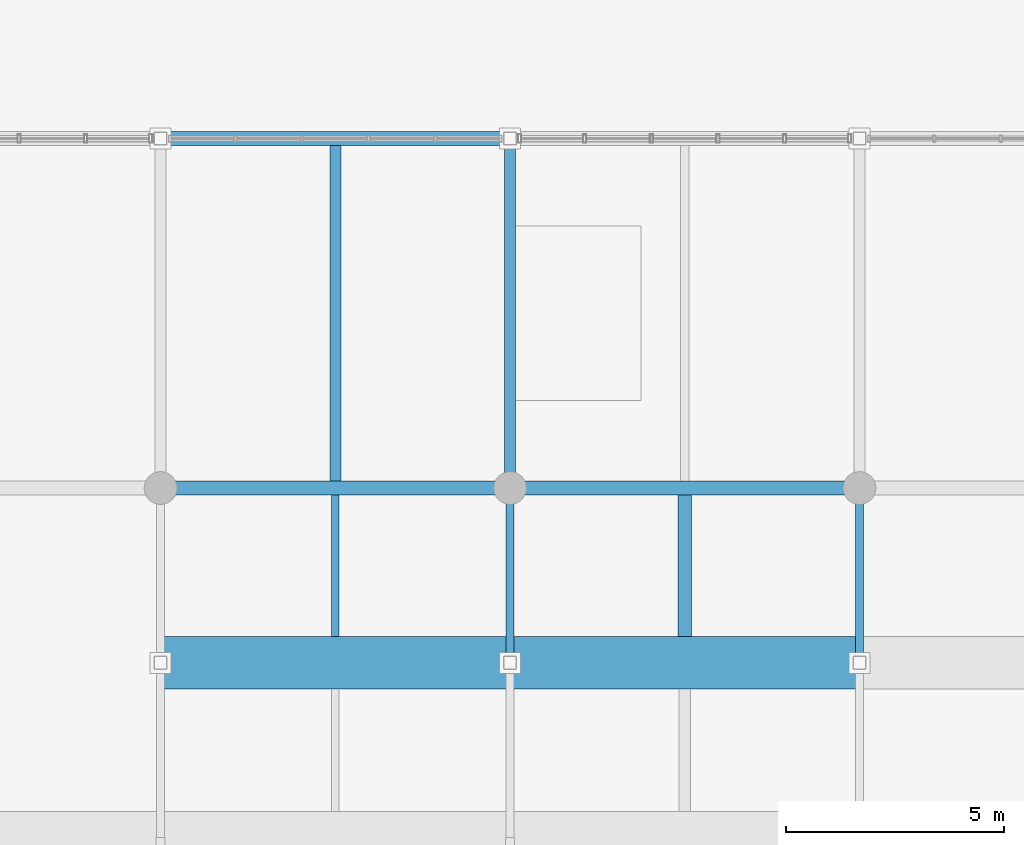
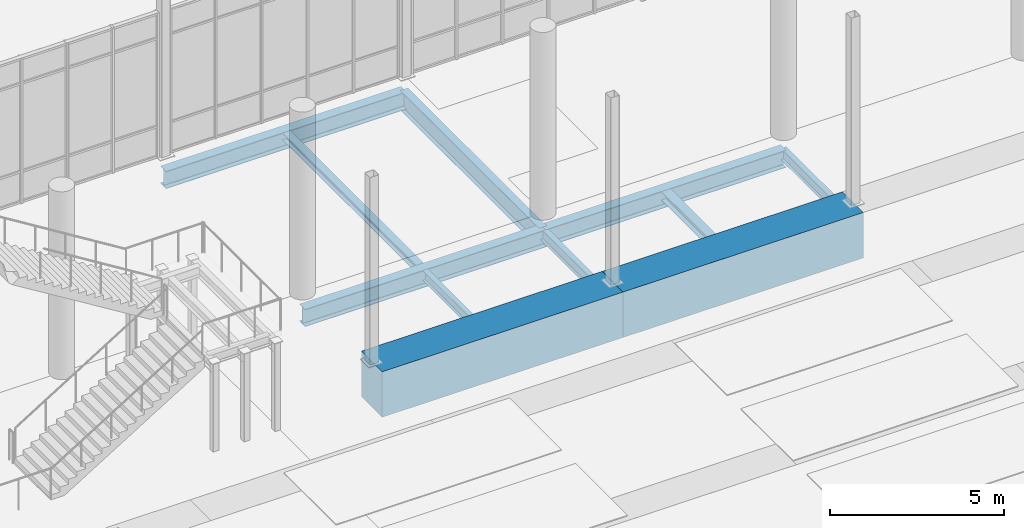
# One storey, part 38 of 140: 11 beams.
"""IFC4 building model written with IfcOpenShell, lengths in metres."""

import ifcopenshell
import ifcopenshell.guid

model = None  # the IFC model being written
_history = None  # IfcOwnerHistory: only IFC2X3 demands one
_inside = {}  # id of a spatial element -> (the spatial element, [elements in it])
_under = {}  # id of a project, library or spatial element -> (it, [spatial elements below it])
_declared = {}  # id of a project -> (the project, [libraries it declares])
_typed = {}  # id of a type object -> (the type object, [elements of that type])
_made_of = {}  # id of a material, layer set ... -> (it, [elements and type objects made of it])


def new_model(schema):
    """Start an empty IFC model of exactly this schema.

    Asked for "IFC4X3", IfcOpenShell would pick the latest addendum, in which some entities
    have other attributes; the version numbers below select the first issue.
    IFC2X3 requires an IfcOwnerHistory on every rooted entity: one is made here for all.
    """
    global model, _history
    if schema == "IFC4X3":
        model = ifcopenshell.file(schema_version=(4, 3, 0, 0))
    else:
        model = ifcopenshell.file(schema=schema)
    _inside.clear()
    _under.clear()
    _declared.clear()
    _typed.clear()
    _made_of.clear()
    _history = None
    if model.schema == "IFC2X3":
        org = make("IfcOrganization", Name="unknown")
        user = make(
            "IfcPersonAndOrganization",
            ThePerson=make("IfcPerson", FamilyName="unknown"),
            TheOrganization=org,
        )
        app = make(
            "IfcApplication",
            ApplicationDeveloper=org,
            Version="unknown",
            ApplicationFullName="unknown",
            ApplicationIdentifier="unknown",
        )
        _history = make(
            "IfcOwnerHistory",
            OwningUser=user,
            OwningApplication=app,
            ChangeAction="ADDED",
            CreationDate=0,
        )
    return model


def make(cls, **values):
    """One entity of the class cls with the attributes given. An attribute that is None is left unset."""
    return model.create_entity(
        cls, **{name: value for name, value in values.items() if value is not None}
    )


def rooted(cls, **values):
    """An entity with a GlobalId (a new one), such as an element, a storey or a relation."""
    return make(cls, GlobalId=ifcopenshell.guid.new(), OwnerHistory=_history, **values)


def si_unit(unit_type, name, prefix=None):
    """IfcSIUnit, for example si_unit("LENGTHUNIT", "METRE", prefix="MILLI")."""
    return make("IfcSIUnit", UnitType=unit_type, Prefix=prefix, Name=name)


def assignment(units):
    """IfcUnitAssignment: the units of a project."""
    return None if units is None else make("IfcUnitAssignment", Units=units)


def point(xyz):
    """IfcCartesianPoint."""
    return None if xyz is None else make("IfcCartesianPoint", Coordinates=xyz)


def direction(xyz):
    """IfcDirection."""
    return None if xyz is None else make("IfcDirection", DirectionRatios=xyz)


def frame(location, z_axis=None, x_axis=None):
    """IfcAxis2Placement3D, a coordinate frame: its origin and axes. An axis left out is left unset."""
    return make(
        "IfcAxis2Placement3D",
        Location=point(location),
        Axis=direction(z_axis),
        RefDirection=direction(x_axis),
    )


def frame_2d(location, x_axis=None):
    """IfcAxis2Placement2D, a coordinate frame in the plane: its origin and x axis."""
    return make(
        "IfcAxis2Placement2D", Location=point(location), RefDirection=direction(x_axis)
    )


def origin():
    """The frame at (0, 0, 0) with its axes left unset."""
    return frame((0.0, 0.0, 0.0))


def origin_2d():
    """The frame at (0, 0) in the plane with its x axis left unset."""
    return frame_2d((0.0, 0.0))


def place(relative_to, where):
    """IfcLocalPlacement: puts the frame where relative to a parent placement (None: the world)."""
    return make(
        "IfcLocalPlacement", PlacementRelTo=relative_to, RelativePlacement=where
    )


def context(
    kind, dimensions, precision=None, world=None, true_north=None, identifier=None
):
    """IfcGeometricRepresentationContext, for example the 3D "Model" context."""
    return make(
        "IfcGeometricRepresentationContext",
        ContextIdentifier=identifier,
        ContextType=kind,
        CoordinateSpaceDimension=dimensions,
        Precision=precision,
        WorldCoordinateSystem=world,
        TrueNorth=true_north,
    )


def subcontext(parent, identifier, kind, view, scale=None):
    """IfcGeometricRepresentationSubContext, for example "Body" below "Model"."""
    return make(
        "IfcGeometricRepresentationSubContext",
        ContextIdentifier=identifier,
        ContextType=kind,
        ParentContext=parent,
        TargetScale=scale,
        TargetView=view,
    )


def project(units=None, contexts=None):
    """IfcProject with its units and contexts."""
    return rooted(
        "IfcProject",
        Name="project",
        RepresentationContexts=contexts,
        UnitsInContext=assignment(units),
    )


def spatial(cls, under=None, at=None, **own):
    """A site, building, storey or space (cls), placed at a placement, below another one or the project."""
    s = rooted(cls, ObjectPlacement=at, **own)
    if under is not None:
        _under.setdefault(under.id(), (under, []))[1].append(s)
    return s


def profile(cls, at=None, kind="AREA", **sizes):
    """A parametric profile (cls). Its sizes go by their IFC names, for example OverallWidth=200.0."""
    return make(cls, ProfileType=kind, Position=at, **sizes)


def rectangle(**sizes):
    """IfcRectangleProfileDef."""
    return profile("IfcRectangleProfileDef", **sizes)


def i_section(**sizes):
    """IfcIShapeProfileDef."""
    return profile("IfcIShapeProfileDef", **sizes)


def extrude(swept, where, along, depth):
    """IfcExtrudedAreaSolid: the profile swept, set in the frame where, extruded along a direction by depth."""
    return make(
        "IfcExtrudedAreaSolid",
        SweptArea=swept,
        Position=where,
        ExtrudedDirection=direction(along),
        Depth=depth,
    )


def shape(context_of_items, identifier, shape_type, items):
    """IfcShapeRepresentation: the items that make up one representation, for example the "Body"."""
    return make(
        "IfcShapeRepresentation",
        ContextOfItems=context_of_items,
        RepresentationIdentifier=identifier,
        RepresentationType=shape_type,
        Items=items,
    )


def material(Name=None, Category=None):
    """IfcMaterial."""
    return make("IfcMaterial", Name=Name, Category=Category)


def material_profile(
    of_material, cross_section, Name=None, Category=None, Priority=None
):
    """IfcMaterialProfile: a cross section and its material."""
    return make(
        "IfcMaterialProfile",
        Name=Name,
        Material=of_material,
        Profile=cross_section,
        Priority=Priority,
        Category=Category,
    )


def profile_set(profiles, Name=None, composite=None):
    """IfcMaterialProfileSet."""
    return make(
        "IfcMaterialProfileSet",
        Name=Name,
        MaterialProfiles=profiles,
        CompositeProfile=composite,
    )


def made_of(thing, what):
    """Note that an element or type object is made of a material, layer set ...; save() writes the relation."""
    if what is not None:
        _made_of.setdefault(what.id(), (what, []))[1].append(thing)
    return thing


def type_object(cls, material=None, **own):
    """A type object (cls), such as IfcWallType, which elements share."""
    return made_of(rooted(cls, **own), material)


def element(
    cls,
    number,
    at=None,
    inside=None,
    cuts=None,
    type_object=None,
    material=None,
    context=None,
    identifier="Body",
    shape_type=None,
    held_by="IfcProductDefinitionShape",
    body=None,
    shapes=None,
    **own,
):
    """One element of the class cls, such as IfcWall. Its Tag is "e" and its number.

    at: its placement. inside: the storey or other place that contains it. cuts: it is an
    opening in that element (IfcRelVoidsElement). A single representation is given by context,
    identifier, shape_type and body (its items); several are given by shapes. held_by: the class
    of the entity that holds the representations. save() writes the other relations.
    """
    e = rooted(cls, Tag="e%d" % number, ObjectPlacement=at, **own)
    if body is not None:
        shapes = [shape(context, identifier, shape_type, body)]
    if shapes is not None:
        e.Representation = make(held_by, Representations=shapes)
    if inside is not None:
        _inside.setdefault(inside.id(), (inside, []))[1].append(e)
    if cuts is not None:
        rooted(
            "IfcRelVoidsElement", RelatingBuildingElement=cuts, RelatedOpeningElement=e
        )
    if type_object is not None:
        _typed.setdefault(type_object.id(), (type_object, []))[1].append(e)
    return made_of(e, material)


def aggregate(whole, parts):
    """IfcRelAggregates: a whole, such as a stair, and the parts it consists of."""
    return rooted("IfcRelAggregates", RelatingObject=whole, RelatedObjects=parts)


def save(model, path):
    """Write the relations noted so far, then the file.

    IfcRelAggregates (storeys below a building ...), IfcRelContainedInSpatialStructure (elements
    in a storey), IfcRelDefinesByType, IfcRelAssociatesMaterial and IfcRelDeclares: one each for
    every whole, place, type object, material and project.
    """
    for whole, parts in _under.values():
        aggregate(whole, parts)
    for where, things in _inside.values():
        rooted(
            "IfcRelContainedInSpatialStructure",
            RelatedElements=things,
            RelatingStructure=where,
        )
    for kind, things in _typed.values():
        rooted("IfcRelDefinesByType", RelatedObjects=things, RelatingType=kind)
    for what, things in _made_of.values():
        rooted("IfcRelAssociatesMaterial", RelatedObjects=things, RelatingMaterial=what)
    for by, libraries in _declared.values():
        rooted("IfcRelDeclares", RelatingContext=by, RelatedDefinitions=libraries)
    model.write(path)


model = new_model("IFC4")

# Units and contexts
model_context = context("Model", 3, precision=1e-05, world=origin(), true_north=direction((0.0, 1.0)))
body_context = subcontext(model_context, "Body", "Model", "MODEL_VIEW")
ifc_project = project(units=[si_unit("LENGTHUNIT", "METRE"), si_unit("AREAUNIT", "SQUARE_METRE"), si_unit("VOLUMEUNIT", "CUBIC_METRE"), si_unit("PLANEANGLEUNIT", "RADIAN"), si_unit("MASSUNIT", "GRAM", prefix="KILO")], contexts=[model_context])

# Site, building, storey
site_placement = place(None, origin())
site = spatial("IfcSite", under=ifc_project, at=site_placement, CompositionType="ELEMENT")
building_placement = place(site_placement, origin())
building = spatial("IfcBuilding", under=site, at=building_placement, Name="Verrall Gate Interchange", CompositionType="ELEMENT")
storey_placement = place(building_placement, origin())
storey = spatial("IfcBuildingStorey", under=building, at=storey_placement, Name="L01", CompositionType="ELEMENT", Elevation=0.0)

# Beams
ifc_material_1 = material(Name="Structural Steel CSA G40.21 350WT Cat 4", Category="steel")
ifc_material_profile_1 = material_profile(ifc_material_1, i_section(OverallWidth=0.256103515625, OverallDepth=0.693115234375, WebThickness=0.01318359375, FlangeThickness=0.02001953125, FilletRadius=0.01611328125, at=origin_2d()), Name="W690x170")
ifc_profile_set_1 = profile_set([ifc_material_profile_1], Name="Structural Steel CSA G40.21 350WT Cat 4")
beam_type_1 = type_object("IfcBeamType", Name="B-07 Structural Beam W690x170", PredefinedType="BEAM", material=ifc_profile_set_1)
beam_1_placement = place(storey_placement, frame((84.0, 48.0, -0.846435546875), z_axis=(0.0, 1.0, 0.0), x_axis=(-1.0, 0.0, 0.0)))
element("IfcBeam", 1, at=beam_1_placement, inside=storey, type_object=beam_type_1, Name="L01 Girder BM-L01-1147 (B-07)", PredefinedType="BEAM", context=body_context, shape_type="SweptSolid", body=[
    extrude(i_section(OverallWidth=0.256103515625, OverallDepth=0.693115234375, WebThickness=0.01318359375, FlangeThickness=0.02001953125, FilletRadius=0.01611328125, at=origin_2d()), origin(), (0.0, 0.0, 1.0), 8.0),
])
ifc_material_2 = material(Name="Structural Steel CSA G40.21 350WT Cat 4", Category="steel")
ifc_material_profile_2 = material_profile(ifc_material_2, i_section(OverallWidth=0.323974609375, OverallDepth=0.611083984375, WebThickness=0.0126953125, FlangeThickness=0.01904296875, FilletRadius=0.014892578125, at=origin_2d()), Name="W610x155")
ifc_profile_set_2 = profile_set([ifc_material_profile_2], Name="Structural Steel CSA G40.21 350WT Cat 4")
beam_type_2 = type_object("IfcBeamType", Name="B-08 Structural Beam W610x155", PredefinedType="BEAM", material=ifc_profile_set_2)
for number, where, z_axis, x_axis, name in (
    (2, (76.0, 48.0, -0.805419921875), (1.0, 0.0, 0.0), (0.0, 1.0, 0.0), "L01 Girder BM-L01-0922 (B-08)"),
    (3, (84.0, 48.0, -0.805419921875), (1.0, 0.0, 0.0), (0.0, 1.0, 0.0), "L01 Girder BM-L01-0923 (B-08)"),
    (4, (76.0, 56.0, -0.805419921875), (1.0, 0.0, 0.0), (0.0, 1.0, 0.0), "L01 Girder BM-L01-0944 (B-08)"),
):
    element("IfcBeam", number, at=place(storey_placement, frame(where, z_axis=z_axis, x_axis=x_axis)), inside=storey, type_object=beam_type_2, Name=name, PredefinedType="BEAM", context=body_context, shape_type="SweptSolid", body=[
        extrude(i_section(OverallWidth=0.323974609375, OverallDepth=0.611083984375, WebThickness=0.0126953125, FlangeThickness=0.01904296875, FilletRadius=0.014892578125, at=origin_2d()), origin(), (0.0, 0.0, 1.0), 8.0),
    ])
ifc_material_3 = material(Name="Structural Steel CSA G40.21 350W", Category="steel")
ifc_material_profile_3 = material_profile(ifc_material_3, i_section(OverallWidth=0.178955078125, OverallDepth=0.409912109375, WebThickness=0.0087890625, FlangeThickness=0.014404296875, FilletRadius=0.011962890625, at=origin_2d()), Name="W410x67")
ifc_profile_set_3 = profile_set([ifc_material_profile_3], Name="Structural Steel CSA G40.21 350W")
beam_type_3 = type_object("IfcBeamType", Name="B-12 Structural Beam W410x67", PredefinedType="BEAM", material=ifc_profile_set_3)
for number, where, z_axis, x_axis, name in (
    (5, (84.0, 44.0, -0.705078125), (0.0, 1.0, 0.0), (-1.0, 0.0, 0.0), "L01 Girder BM-L01-1146 (B-12)"),
    (6, (92.0, 44.0, -0.705078125), (0.0, 1.0, 0.0), (-1.0, 0.0, 0.0), "L01 Girder BM-L01-1155 (B-12)"),
):
    element("IfcBeam", number, at=place(storey_placement, frame(where, z_axis=z_axis, x_axis=x_axis)), inside=storey, type_object=beam_type_3, Name=name, PredefinedType="BEAM", context=body_context, shape_type="SweptSolid", body=[
        extrude(i_section(OverallWidth=0.178955078125, OverallDepth=0.409912109375, WebThickness=0.0087890625, FlangeThickness=0.014404296875, FilletRadius=0.011962890625, at=origin_2d()), origin(), (0.0, 0.0, 1.0), 4.0),
    ])
ifc_material_4 = material(Name="Structural Steel CSA G40.21 350W", Category="steel")
ifc_material_profile_4 = material_profile(ifc_material_4, i_section(OverallWidth=0.172119140625, OverallDepth=0.35791015625, WebThickness=0.0078125, FlangeThickness=0.01318359375, FilletRadius=0.010986328125, at=origin_2d()), Name="W360x57")
ifc_profile_set_4 = profile_set([ifc_material_profile_4], Name="Structural Steel CSA G40.21 350W")
beam_type_4 = type_object("IfcBeamType", Name="J-01 Floor Joist W360x57", PredefinedType="JOIST", material=ifc_profile_set_4)
beam_2_placement = place(storey_placement, frame((80.0, 44.60009765625, -0.678955078125), z_axis=(0.0, 1.0, 0.0), x_axis=(-1.0, 0.0, 0.0)))
element("IfcBeam", 7, at=beam_2_placement, inside=storey, type_object=beam_type_4, Name="L01 Secondary Floor Joist JST-L01-1388", PredefinedType="JOIST", context=body_context, shape_type="SweptSolid", body=[
    extrude(i_section(OverallWidth=0.172119140625, OverallDepth=0.35791015625, WebThickness=0.0078125, FlangeThickness=0.01318359375, FilletRadius=0.010986328125, at=origin_2d()), origin(), (0.0, 0.0, 1.0), 3.23779296875),
])
ifc_material_5 = material(Name="Structural Steel CSA G40.21 350W", Category="steel")
ifc_material_profile_5 = material_profile(ifc_material_5, i_section(OverallWidth=0.306884765625, OverallDepth=0.31396484375, WebThickness=0.011962890625, FlangeThickness=0.018798828125, FilletRadius=0.013916015625, at=origin_2d()), Name="W310x118")
ifc_profile_set_5 = profile_set([ifc_material_profile_5], Name="Structural Steel CSA G40.21 350W")
beam_type_5 = type_object("IfcBeamType", Name="J-02 Floor Joist W310x118", PredefinedType="JOIST", material=ifc_profile_set_5)
beam_3_placement = place(storey_placement, frame((88.0, 44.60009765625, -0.656982421875), z_axis=(0.0, 1.0, 0.0), x_axis=(-1.0, 0.0, 0.0)))
element("IfcBeam", 8, at=beam_3_placement, inside=storey, type_object=beam_type_5, Name="L01 Secondary Floor Joist JST-L01-1389", PredefinedType="JOIST", context=body_context, shape_type="SweptSolid", body=[
    extrude(i_section(OverallWidth=0.306884765625, OverallDepth=0.31396484375, WebThickness=0.011962890625, FlangeThickness=0.018798828125, FilletRadius=0.013916015625, at=origin_2d()), origin(), (0.0, 0.0, 1.0), 3.23779296875),
])
ifc_material_6 = material(Name="Structural Steel CSA G40.21 350W", Category="steel")
ifc_material_profile_6 = material_profile(ifc_material_6, i_section(OverallWidth=0.25390625, OverallDepth=0.2529296875, WebThickness=0.008544921875, FlangeThickness=0.01416015625, FilletRadius=0.011962890625, at=origin_2d()), Name="W250x73")
ifc_profile_set_6 = profile_set([ifc_material_profile_6], Name="Structural Steel CSA G40.21 350W")
beam_type_6 = type_object("IfcBeamType", Name="J-05 Floor Joist W250x73", PredefinedType="JOIST", material=ifc_profile_set_6)
beam_4_placement = place(storey_placement, frame((80.0, 48.162109375, -0.62646484375), z_axis=(0.0, 1.0, 0.0), x_axis=(-1.0, 0.0, 0.0)))
element("IfcBeam", 9, at=beam_4_placement, inside=storey, type_object=beam_type_6, Name="L01 Secondary Floor Joist JST-L01-1408", PredefinedType="JOIST", context=body_context, shape_type="SweptSolid", body=[
    extrude(i_section(OverallWidth=0.25390625, OverallDepth=0.2529296875, WebThickness=0.008544921875, FlangeThickness=0.01416015625, FilletRadius=0.011962890625, at=origin_2d()), origin(), (0.0, 0.0, 1.0), 7.67578125),
])
ifc_material_7 = material(Name="Concrete CSA A23.1 40 MPa (Class N)", Category="concrete")
ifc_material_profile_7 = material_profile(ifc_material_7, rectangle(XDim=1.199951171875, YDim=1.60009765625, at=origin_2d()), Name="RC1200x1600")
ifc_profile_set_7 = profile_set([ifc_material_profile_7], Name="Concrete CSA A23.1 40 MPa (Class N)")
beam_type_7 = type_object("IfcBeamType", Name="TG-01 Transfer Girder RC1200x1600", PredefinedType="USERDEFINED", material=ifc_profile_set_7)
for number, where, z_axis, x_axis, name in (
    (10, (76.0, 44.0, -0.800048828125), (1.0, 0.0, 0.0), (0.0, 1.0, 0.0), "L01 Girder BM-L01-0898 (TG-01)"),
    (11, (84.0, 44.0, -0.800048828125), (1.0, 0.0, 0.0), (0.0, 1.0, 0.0), "L01 Girder BM-L01-0899 (TG-01)"),
):
    element("IfcBeam", number, at=place(storey_placement, frame(where, z_axis=z_axis, x_axis=x_axis)), inside=storey, type_object=beam_type_7, Name=name, ObjectType="TRANSFER_GIRDER", PredefinedType="USERDEFINED", context=body_context, shape_type="SweptSolid", body=[
        extrude(rectangle(XDim=1.199951171875, YDim=1.60009765625, at=origin_2d()), origin(), (0.0, 0.0, 1.0), 8.0),
    ])

save(model, "model.ifc")
